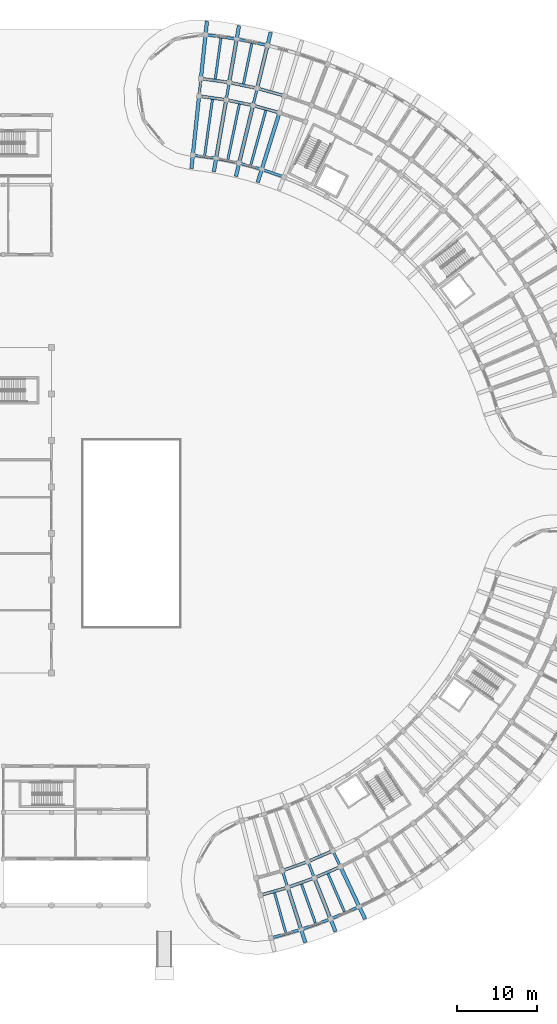
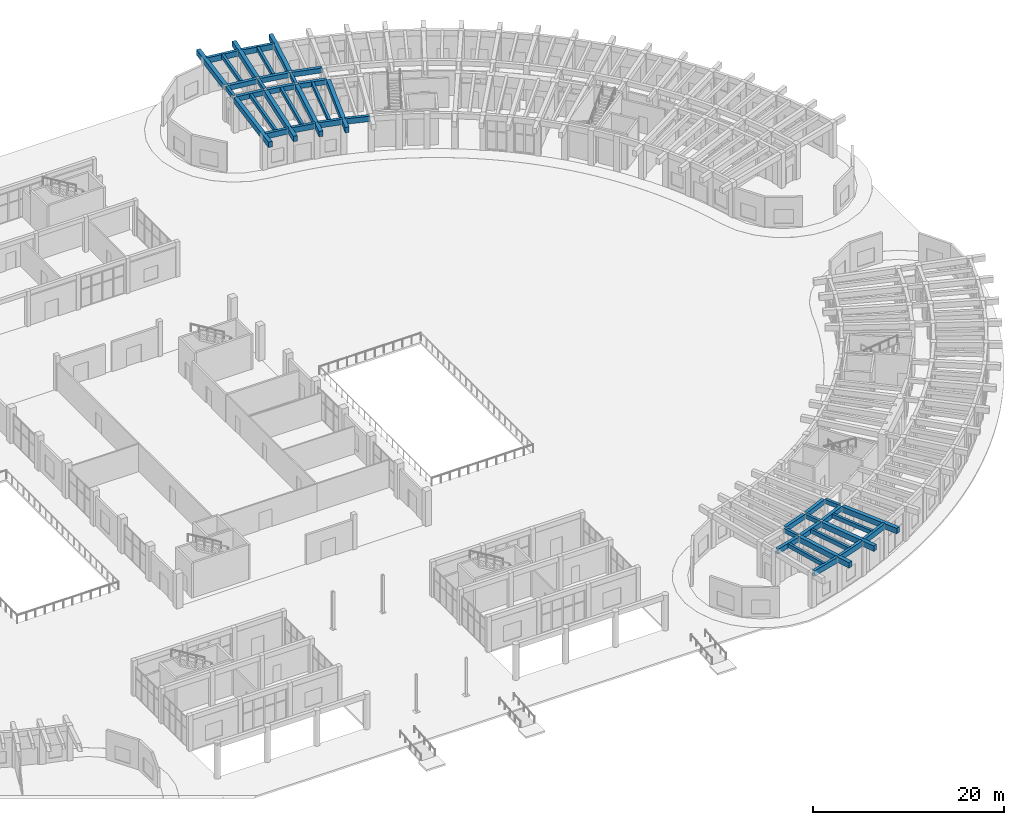
# One storey, part 52 of 132: 44 beams.
"""IFC4 building model written with IfcOpenShell, lengths in metres."""

from ifc_helpers import new_model, si_unit, direction, frame, origin, origin_2d, place, context, subcontext, project, spatial, rectangle, extrude, material, material_profile, profile_set, type_object, element, save


model = new_model("IFC4")

# Units and contexts
model_context = context("Model", 3, precision=1e-05, world=origin(), true_north=direction((0.0, 1.0)))
body_context = subcontext(model_context, "Body", "Model", "MODEL_VIEW")
ifc_project = project(units=[si_unit("LENGTHUNIT", "METRE"), si_unit("AREAUNIT", "SQUARE_METRE"), si_unit("VOLUMEUNIT", "CUBIC_METRE"), si_unit("PLANEANGLEUNIT", "RADIAN"), si_unit("MASSUNIT", "GRAM", prefix="KILO")], contexts=[model_context])

# Site, building, storey
site_placement = place(None, origin())
site = spatial("IfcSite", under=ifc_project, at=site_placement, CompositionType="ELEMENT")
building_placement = place(site_placement, origin())
building = spatial("IfcBuilding", under=site, at=building_placement, Name="Tanwirah Colonnade Gardens", CompositionType="ELEMENT")
storey_placement = place(building_placement, origin())
storey = spatial("IfcBuildingStorey", under=building, at=storey_placement, Name="L00", CompositionType="ELEMENT", Elevation=0.0)

# Beams
ifc_material_1 = material(Name="Precast concrete C40/50", Category="concrete")
ifc_material_profile_1 = material_profile(ifc_material_1, rectangle(XDim=0.320068359375, YDim=0.52001953125, at=origin_2d()), Name="PC-BM 320x520")
ifc_profile_set_1 = profile_set([ifc_material_profile_1], Name="Precast concrete C40/50")
beam_type_1 = type_object("IfcBeamType", Name="BM-PC320", PredefinedType="BEAM", material=ifc_profile_set_1)
for number, where, z_axis, x_axis, name in (
    (1, (133.188232421875, 110.75146484375, 4.22509765625), (0.234364199778, 0.972148868159, 0.0), (-0.972148868159, 0.234364199778, 0.0), "Block B L00 Corridor Tie Beam 16"),
    (2, (129.8310546875, 111.444580078125, 4.22509765625), (0.169855285462, 0.985469016256, 0.0), (-0.985469016256, 0.169855285462, 0.0), "Block B L00 Corridor Tie Beam 17"),
    (3, (126.435546875, 111.9150390625, 4.22509765625), (0.104464057197, 0.994528662611, 0.0), (-0.994528662611, 0.104464057197, 0.0), "Block B L00 Corridor Tie Beam 18"),
):
    element("IfcBeam", number, at=place(storey_placement, frame(where, z_axis=z_axis, x_axis=x_axis)), inside=storey, type_object=beam_type_1, Name=name, PredefinedType="BEAM", context=body_context, shape_type="SweptSolid", body=[
        extrude(rectangle(XDim=0.320068359375, YDim=0.52001953125, at=origin_2d()), origin(), (0.0, 0.0, 1.0), 1.900146484375),
    ])
beam_1_placement = place(storey_placement, frame((136.85302734375, 14.975341796875, 4.22509765625), z_axis=(0.304794376797, -0.952418179096, 0.0), x_axis=(0.952418179096, 0.304794376797, 0.0)))
element("IfcBeam", 4, at=beam_1_placement, inside=storey, type_object=beam_type_1, Name="Block D L00 Corridor Tie Beam 1", PredefinedType="BEAM", context=body_context, shape_type="SweptSolid", body=[
    extrude(rectangle(XDim=0.320068359375, YDim=0.52001953125, at=origin_2d()), origin(), (0.0, 0.0, 1.0), 1.89990234375),
])
beam_2_placement = place(storey_placement, frame((140.05810546875, 16.1181640625, 4.22509765625), z_axis=(0.366511033969, -0.930413704746, 0.0), x_axis=(0.930413704746, 0.366511033969, 0.0)))
element("IfcBeam", 5, at=beam_2_placement, inside=storey, type_object=beam_type_1, Name="Block D L00 Corridor Tie Beam 2", PredefinedType="BEAM", context=body_context, shape_type="SweptSolid", body=[
    extrude(rectangle(XDim=0.320068359375, YDim=0.52001953125, at=origin_2d()), origin(), (0.0, 0.0, 1.0), 1.899658203125),
])
beam_3_placement = place(storey_placement, frame((143.181640625, 17.46826171875, 4.22509765625), z_axis=(0.426483812015, -0.904495195172, 0.0), x_axis=(0.904495195172, 0.426483812015, 0.0)))
element("IfcBeam", 6, at=beam_3_placement, inside=storey, type_object=beam_type_1, Name="Block D L00 Corridor Tie Beam 3", PredefinedType="BEAM", context=body_context, shape_type="SweptSolid", body=[
    extrude(rectangle(XDim=0.320068359375, YDim=0.52001953125, at=origin_2d()), origin(), (0.0, 0.0, 1.0), 1.89990234375),
])
ifc_material_profile_2 = material_profile(ifc_material_1, rectangle(XDim=0.3798828125, YDim=0.6201171875, at=origin_2d()), Name="PC-BM 380x620")
ifc_profile_set_2 = profile_set([ifc_material_profile_2], Name="Precast concrete C40/50")
beam_type_2 = type_object("IfcBeamType", Name="BM-PC380", PredefinedType="BEAM", material=ifc_profile_set_2)
beam_4_placement = place(storey_placement, frame((136.302978515625, 109.7353515625, 4.175048828125), z_axis=(-0.963889412906, 0.266302834548, 0.0), x_axis=(-0.266302834548, -0.963889412906, 0.0)))
element("IfcBeam", 7, at=beam_4_placement, inside=storey, type_object=beam_type_2, Name="Block B L00 Circumferential Beam 15-R1", PredefinedType="BEAM", context=body_context, shape_type="SweptSolid", body=[
    extrude(rectangle(XDim=0.3798828125, YDim=0.6201171875, at=origin_2d()), origin(), (0.0, 0.0, 1.0), 3.117919921875),
])
beam_5_placement = place(storey_placement, frame((136.95849609375, 111.83544921875, 4.175048828125), z_axis=(-0.9638953302, 0.266281415833, 0.0), x_axis=(-0.266281415833, -0.9638953302, 0.0)))
element("IfcBeam", 8, at=beam_5_placement, inside=storey, type_object=beam_type_2, Name="Block B L00 Circumferential Beam 15-R2", PredefinedType="BEAM", context=body_context, shape_type="SweptSolid", body=[
    extrude(rectangle(XDim=0.3798828125, YDim=0.6201171875, at=origin_2d()), origin(), (0.0, 0.0, 1.0), 3.26318359375),
])
beam_6_placement = place(storey_placement, frame((133.006103515625, 110.635986328125, 4.175048828125), z_axis=(-0.979335880607, 0.202240532428, 0.0), x_axis=(-0.202240532428, -0.979335880607, 0.0)))
element("IfcBeam", 9, at=beam_6_placement, inside=storey, type_object=beam_type_2, Name="Block B L00 Circumferential Beam 16-R1", PredefinedType="BEAM", context=body_context, shape_type="SweptSolid", body=[
    extrude(rectangle(XDim=0.3798828125, YDim=0.6201171875, at=origin_2d()), origin(), (0.0, 0.0, 1.0), 3.1181640625),
])
beam_7_placement = place(storey_placement, frame((133.521728515625, 112.774658203125, 4.175048828125), z_axis=(-0.979335599813, 0.202241892146, 0.0), x_axis=(-0.202241892146, -0.979335599813, 0.0)))
element("IfcBeam", 10, at=beam_7_placement, inside=storey, type_object=beam_type_2, Name="Block B L00 Circumferential Beam 16-R2", PredefinedType="BEAM", context=body_context, shape_type="SweptSolid", body=[
    extrude(rectangle(XDim=0.3798828125, YDim=0.6201171875, at=origin_2d()), origin(), (0.0, 0.0, 1.0), 3.262939453125),
])
beam_8_placement = place(storey_placement, frame((129.656982421875, 111.3173828125, 4.175048828125), z_axis=(-0.990535787723, 0.137254702069, 0.0), x_axis=(-0.137254702069, -0.990535787723, 0.0)))
element("IfcBeam", 11, at=beam_8_placement, inside=storey, type_object=beam_type_2, Name="Block B L00 Circumferential Beam 17-R1", PredefinedType="BEAM", context=body_context, shape_type="SweptSolid", body=[
    extrude(rectangle(XDim=0.3798828125, YDim=0.6201171875, at=origin_2d()), origin(), (0.0, 0.0, 1.0), 3.1181640625),
])
beam_9_placement = place(storey_placement, frame((130.030517578125, 113.4853515625, 4.175048828125), z_axis=(-0.990530465749, 0.13729310406, 0.0), x_axis=(-0.13729310406, -0.990530465749, 0.0)))
element("IfcBeam", 12, at=beam_9_placement, inside=storey, type_object=beam_type_2, Name="Block B L00 Circumferential Beam 17-R2", PredefinedType="BEAM", context=body_context, shape_type="SweptSolid", body=[
    extrude(rectangle(XDim=0.3798828125, YDim=0.6201171875, at=origin_2d()), origin(), (0.0, 0.0, 1.0), 3.26318359375),
])
beam_10_placement = place(storey_placement, frame((134.22021484375, 12.096435546875, 4.175048828125), z_axis=(0.96185623635, 0.273555443366, 0.0), x_axis=(-0.273555443366, 0.96185623635, 0.0)))
element("IfcBeam", 13, at=beam_10_placement, inside=storey, type_object=beam_type_2, Name="Block D L00 Circumferential Beam 0-R2", PredefinedType="BEAM", context=body_context, shape_type="SweptSolid", body=[
    extrude(rectangle(XDim=0.3798828125, YDim=0.6201171875, at=origin_2d()), origin(), (0.0, 0.0, 1.0), 3.237060546875),
])
beam_11_placement = place(storey_placement, frame((136.948486328125, 15.168701171875, 4.175048828125), z_axis=(0.941911444877, 0.335861325564, 0.0), x_axis=(-0.335861325564, 0.941911444877, 0.0)))
element("IfcBeam", 14, at=beam_11_placement, inside=storey, type_object=beam_type_2, Name="Block D L00 Circumferential Beam 1-R1", PredefinedType="BEAM", context=body_context, shape_type="SweptSolid", body=[
    extrude(rectangle(XDim=0.3798828125, YDim=0.6201171875, at=origin_2d()), origin(), (0.0, 0.0, 1.0), 3.093017578125),
])
beam_12_placement = place(storey_placement, frame((137.619140625, 13.073486328125, 4.175048828125), z_axis=(0.941917534978, 0.335844245597, 0.0), x_axis=(-0.335844245597, 0.941917534978, 0.0)))
element("IfcBeam", 15, at=beam_12_placement, inside=storey, type_object=beam_type_2, Name="Block D L00 Circumferential Beam 1-R2", PredefinedType="BEAM", context=body_context, shape_type="SweptSolid", body=[
    extrude(rectangle(XDim=0.3798828125, YDim=0.6201171875, at=origin_2d()), origin(), (0.0, 0.0, 1.0), 3.237060546875),
])
beam_13_placement = place(storey_placement, frame((140.140869140625, 16.3173828125, 4.175048828125), z_axis=(0.917936292782, 0.396727819032, 0.0), x_axis=(-0.396727819032, 0.917936292782, 0.0)))
element("IfcBeam", 16, at=beam_13_placement, inside=storey, type_object=beam_type_2, Name="Block D L00 Circumferential Beam 2-R1", PredefinedType="BEAM", context=body_context, shape_type="SweptSolid", body=[
    extrude(rectangle(XDim=0.3798828125, YDim=0.6201171875, at=origin_2d()), origin(), (0.0, 0.0, 1.0), 3.093017578125),
])
beam_14_placement = place(storey_placement, frame((140.947021484375, 14.2705078125, 4.175048828125), z_axis=(0.917943156181, 0.396711938338, 0.0), x_axis=(-0.396711938338, 0.917943156181, 0.0)))
element("IfcBeam", 17, at=beam_14_placement, inside=storey, type_object=beam_type_2, Name="Block D L00 Circumferential Beam 2-R2", PredefinedType="BEAM", context=body_context, shape_type="SweptSolid", body=[
    extrude(rectangle(XDim=0.3798828125, YDim=0.6201171875, at=origin_2d()), origin(), (0.0, 0.0, 1.0), 3.237060546875),
])
ifc_material_2 = material(Name="Precast concrete C45/55", Category="concrete")
ifc_material_profile_3 = material_profile(ifc_material_2, rectangle(XDim=0.449951171875, YDim=0.699951171875, at=origin_2d()), Name="PC-BM 450x700")
ifc_profile_set_3 = profile_set([ifc_material_profile_3], Name="Precast concrete C45/55")
beam_type_3 = type_object("IfcBeamType", Name="BM-PC450", PredefinedType="BEAM", material=ifc_profile_set_3)
beam_15_placement = place(storey_placement, frame((136.403076171875, 109.55224609375, 4.135009765625), z_axis=(-0.29792861283, -0.9545881529, 0.0), x_axis=(0.9545881529, -0.29792861283, 0.0)))
element("IfcBeam", 18, at=beam_15_placement, inside=storey, type_object=beam_type_3, Name="Block B L00 Inner Radial Precast Girder 15", PredefinedType="BEAM", context=body_context, shape_type="SweptSolid", body=[
    extrude(rectangle(XDim=0.449951171875, YDim=0.699951171875, at=origin_2d()), origin(), (0.0, 0.0, 1.0), 8.9501953125),
])
beam_16_placement = place(storey_placement, frame((133.117919921875, 110.459716796875, 4.135009765625), z_axis=(-0.234401428133, -0.972139892448, 0.0), x_axis=(0.972139892448, -0.234401428133, 0.0)))
element("IfcBeam", 19, at=beam_16_placement, inside=storey, type_object=beam_type_3, Name="Block B L00 Inner Radial Precast Girder 16", PredefinedType="BEAM", context=body_context, shape_type="SweptSolid", body=[
    extrude(rectangle(XDim=0.449951171875, YDim=0.699951171875, at=origin_2d()), origin(), (0.0, 0.0, 1.0), 8.949951171875),
])
beam_17_placement = place(storey_placement, frame((133.703857421875, 112.89013671875, 4.135009765625), z_axis=(0.234378734126, 0.972145364125, 0.0), x_axis=(-0.972145364125, 0.234378734126, 0.0)))
element("IfcBeam", 20, at=beam_17_placement, inside=storey, type_object=beam_type_3, Name="Block B L00 Outer Radial Precast Girder 16", PredefinedType="BEAM", context=body_context, shape_type="SweptSolid", body=[
    extrude(rectangle(XDim=0.449951171875, YDim=0.699951171875, at=origin_2d()), origin(), (0.0, 0.0, 1.0), 7.0498046875),
])
beam_18_placement = place(storey_placement, frame((129.780029296875, 111.14892578125, 4.135009765625), z_axis=(-0.169837490725, -0.985472083189, 0.0), x_axis=(0.985472083189, -0.169837490725, 0.0)))
element("IfcBeam", 21, at=beam_18_placement, inside=storey, type_object=beam_type_3, Name="Block B L00 Inner Radial Precast Girder 17", PredefinedType="BEAM", context=body_context, shape_type="SweptSolid", body=[
    extrude(rectangle(XDim=0.449951171875, YDim=0.699951171875, at=origin_2d()), origin(), (0.0, 0.0, 1.0), 8.949951171875),
])
beam_19_placement = place(storey_placement, frame((130.20458984375, 113.61279296875, 4.135009765625), z_axis=(0.169826898404, 0.985473908624, 0.0), x_axis=(-0.985473908624, 0.169826898404, 0.0)))
element("IfcBeam", 22, at=beam_19_placement, inside=storey, type_object=beam_type_3, Name="Block B L00 Outer Radial Precast Girder 17", PredefinedType="BEAM", context=body_context, shape_type="SweptSolid", body=[
    extrude(rectangle(XDim=0.449951171875, YDim=0.699951171875, at=origin_2d()), origin(), (0.0, 0.0, 1.0), 7.0498046875),
])
beam_20_placement = place(storey_placement, frame((126.404052734375, 111.61669921875, 4.135009765625), z_axis=(-0.104531425475, -0.994521584023, 0.0), x_axis=(0.994521584023, -0.104531425475, 0.0)))
element("IfcBeam", 23, at=beam_20_placement, inside=storey, type_object=beam_type_3, Name="Block B L00 Inner Radial Precast Girder 18", PredefinedType="BEAM", context=body_context, shape_type="SweptSolid", body=[
    extrude(rectangle(XDim=0.449951171875, YDim=0.699951171875, at=origin_2d()), origin(), (0.0, 0.0, 1.0), 8.949951171875),
])
for number, where, z_axis, x_axis, name in (
    (24, (126.66552734375, 114.10302734375, 4.135009765625), (0.104511730475, 0.994523653913, 0.0), (-0.994523653913, 0.104511730475, 0.0), "Block B L00 Outer Radial Precast Girder 18"),
    (25, (137.523681640625, 12.880126953125, 4.135009765625), (0.304849862001, -0.952400420851, 0.0), (0.952400420851, 0.304849862001, 0.0), "Block D L00 Outer Radial Precast Girder 1"),
    (26, (140.8642578125, 14.0712890625, 4.135009765625), (0.366525426804, -0.930408034953, 0.0), (0.930408034953, 0.366525426804, 0.0), "Block D L00 Outer Radial Precast Girder 2"),
    (27, (144.1201171875, 15.478515625, 4.135009765625), (0.426567365945, -0.904455793453, 0.0), (0.904455793453, 0.426567365945, 0.0), "Block D L00 Outer Radial Precast Girder 3"),
):
    element("IfcBeam", number, at=place(storey_placement, frame(where, z_axis=z_axis, x_axis=x_axis)), inside=storey, type_object=beam_type_3, Name=name, PredefinedType="BEAM", context=body_context, shape_type="SweptSolid", body=[
        extrude(rectangle(XDim=0.449951171875, YDim=0.699951171875, at=origin_2d()), origin(), (0.0, 0.0, 1.0), 7.050048828125),
    ])
ifc_material_profile_4 = material_profile(ifc_material_1, rectangle(XDim=0.300048828125, YDim=0.5, at=origin_2d()), Name="PC-JST 300x500")
ifc_profile_set_4 = profile_set([ifc_material_profile_4], Name="Precast concrete C40/50")
beam_type_4 = type_object("IfcBeamType", Name="JST-PC300", PredefinedType="JOIST", material=ifc_profile_set_4)
beam_21_placement = place(storey_placement, frame((132.869140625, 103.16064453125, 4.235107421875), z_axis=(0.266307034535, 0.963888252526, 0.0), x_axis=(-0.963888252526, 0.266307034535, 0.0)))
element("IfcBeam", 28, at=beam_21_placement, inside=storey, type_object=beam_type_4, Name="Block B L00 Inner Precast Floor Joist 15", PredefinedType="JOIST", context=body_context, shape_type="SweptSolid", body=[
    extrude(rectangle(XDim=0.300048828125, YDim=0.5, at=origin_2d()), origin(), (0.0, 0.0, 1.0), 7.159912109375),
])
beam_22_placement = place(storey_placement, frame((131.9541015625, 113.2509765625, 4.235107421875), z_axis=(0.202235688429, 0.979336880918, 0.0), x_axis=(-0.979336880918, 0.202235688429, 0.0)))
element("IfcBeam", 29, at=beam_22_placement, inside=storey, type_object=beam_type_4, Name="Block B L00 Precast Floor Joist 16", PredefinedType="JOIST", context=body_context, shape_type="SweptSolid", body=[
    extrude(rectangle(XDim=0.300048828125, YDim=0.5, at=origin_2d()), origin(), (0.0, 0.0, 1.0), 5.259765625),
])
beam_23_placement = place(storey_placement, frame((130.012939453125, 103.84912109375, 4.235107421875), z_axis=(0.202197428816, 0.979344780851, 0.0), x_axis=(-0.979344780851, 0.202197428816, 0.0)))
element("IfcBeam", 30, at=beam_23_placement, inside=storey, type_object=beam_type_4, Name="Block B L00 Inner Precast Floor Joist 16", PredefinedType="JOIST", context=body_context, shape_type="SweptSolid", body=[
    extrude(rectangle(XDim=0.300048828125, YDim=0.5, at=origin_2d()), origin(), (0.0, 0.0, 1.0), 7.16015625),
])
beam_24_placement = place(storey_placement, frame((128.43505859375, 113.857421875, 4.235107421875), z_axis=(0.137248344923, 0.990536668587, 0.0), x_axis=(-0.990536668587, 0.137248344923, 0.0)))
element("IfcBeam", 31, at=beam_24_placement, inside=storey, type_object=beam_type_4, Name="Block B L00 Precast Floor Joist 17", PredefinedType="JOIST", context=body_context, shape_type="SweptSolid", body=[
    extrude(rectangle(XDim=0.300048828125, YDim=0.5, at=origin_2d()), origin(), (0.0, 0.0, 1.0), 5.260009765625),
])
beam_25_placement = place(storey_placement, frame((127.117431640625, 104.34814453125, 4.235107421875), z_axis=(0.137243132462, 0.99053739081, 0.0), x_axis=(-0.99053739081, 0.137243132462, 0.0)))
element("IfcBeam", 32, at=beam_25_placement, inside=storey, type_object=beam_type_4, Name="Block B L00 Inner Precast Floor Joist 17", PredefinedType="JOIST", context=body_context, shape_type="SweptSolid", body=[
    extrude(rectangle(XDim=0.300048828125, YDim=0.5, at=origin_2d()), origin(), (0.0, 0.0, 1.0), 7.16015625),
])
for number, where, z_axis, x_axis, name in (
    (33, (135.817626953125, 12.39599609375, 4.235107421875), (0.27352550206, -0.961864751263, 0.0), (0.961864751263, 0.27352550206, 0.0), "Block D L00 Precast Floor Joist 0"),
    (34, (139.193603515625, 13.4765625, 4.235107421875), (0.335862957845, -0.941910862846, 0.0), (0.941910862846, 0.335862957845, 0.0), "Block D L00 Precast Floor Joist 1"),
    (35, (142.49169921875, 14.77587890625, 4.235107421875), (0.396746282, -0.917928312952, 0.0), (0.917928312952, 0.396746282, 0.0), "Block D L00 Precast Floor Joist 2"),
):
    element("IfcBeam", number, at=place(storey_placement, frame(where, z_axis=z_axis, x_axis=x_axis)), inside=storey, type_object=beam_type_4, Name=name, PredefinedType="JOIST", context=body_context, shape_type="SweptSolid", body=[
        extrude(rectangle(XDim=0.300048828125, YDim=0.5, at=origin_2d()), origin(), (0.0, 0.0, 1.0), 5.260009765625),
    ])
ifc_material_profile_5 = material_profile(ifc_material_2, rectangle(XDim=0.340087890625, YDim=0.699951171875, at=origin_2d()), Name="PC-SP 340x700")
ifc_profile_set_5 = profile_set([ifc_material_profile_5], Name="Precast concrete C45/55")
beam_type_5 = type_object("IfcBeamType", Name="SP-PC340", PredefinedType="SPANDREL", material=ifc_profile_set_5)
beam_26_placement = place(storey_placement, frame((136.8681640625, 101.716064453125, 4.135009765625), z_axis=(-0.944249847334, 0.32922974624, 0.0), x_axis=(-0.32922974624, -0.944249847334, 0.0)))
element("IfcBeam", 36, at=beam_26_placement, inside=storey, type_object=beam_type_5, Name="Block B L00 Circumferential Beam 14-R0", PredefinedType="SPANDREL", context=body_context, shape_type="SweptSolid", body=[
    extrude(rectangle(XDim=0.340087890625, YDim=0.699951171875, at=origin_2d()), origin(), (0.0, 0.0, 1.0), 2.63037109375),
])
for number, where, z_axis, x_axis, name in (
    (37, (134.098388671875, 102.67138671875, 4.135009765625), (-0.96388669146, 0.266312684688, 0.0), (-0.266312684688, -0.96388669146, 0.0), "Block B L00 Circumferential Beam 15-R0"),
    (38, (131.271728515625, 103.442138671875, 4.135009765625), (-0.979351764611, 0.202163599974, 0.0), (-0.202163599974, -0.979351764611, 0.0), "Block B L00 Circumferential Beam 16-R0"),
):
    element("IfcBeam", number, at=place(storey_placement, frame(where, z_axis=z_axis, x_axis=x_axis)), inside=storey, type_object=beam_type_5, Name=name, PredefinedType="SPANDREL", context=body_context, shape_type="SweptSolid", body=[
        extrude(rectangle(XDim=0.340087890625, YDim=0.699951171875, at=origin_2d()), origin(), (0.0, 0.0, 1.0), 2.630126953125),
    ])
beam_27_placement = place(storey_placement, frame((134.810791015625, 118.121337890625, 4.135009765625), z_axis=(-0.979328544205, 0.202276055197, 0.0), x_axis=(-0.202276055197, -0.979328544205, 0.0)))
element("IfcBeam", 39, at=beam_27_placement, inside=storey, type_object=beam_type_5, Name="Block B L00 Circumferential Beam 16-R3", PredefinedType="SPANDREL", context=body_context, shape_type="SweptSolid", body=[
    extrude(rectangle(XDim=0.340087890625, YDim=0.699951171875, at=origin_2d()), origin(), (0.0, 0.0, 1.0), 3.625732421875),
])
beam_28_placement = place(storey_placement, frame((128.400146484375, 104.02490234375, 4.135009765625), z_axis=(-0.990531232354, 0.13728757311, 0.0), x_axis=(-0.13728757311, -0.990531232354, 0.0)))
element("IfcBeam", 40, at=beam_28_placement, inside=storey, type_object=beam_type_5, Name="Block B L00 Circumferential Beam 17-R0", PredefinedType="SPANDREL", context=body_context, shape_type="SweptSolid", body=[
    extrude(rectangle(XDim=0.340087890625, YDim=0.699951171875, at=origin_2d()), origin(), (0.0, 0.0, 1.0), 2.630126953125),
])
beam_29_placement = place(storey_placement, frame((130.964599609375, 118.905517578125, 4.135009765625), z_axis=(-0.990538603978, 0.137234376268, 0.0), x_axis=(-0.137234376268, -0.990538603978, 0.0)))
element("IfcBeam", 41, at=beam_29_placement, inside=storey, type_object=beam_type_5, Name="Block B L00 Circumferential Beam 17-R3", PredefinedType="SPANDREL", context=body_context, shape_type="SweptSolid", body=[
    extrude(rectangle(XDim=0.340087890625, YDim=0.699951171875, at=origin_2d()), origin(), (0.0, 0.0, 1.0), 3.625732421875),
])
for number, where, z_axis, x_axis, name in (
    (42, (135.55078125, 6.760009765625, 4.135009765625), (0.96186131547, 0.273537583893, 0.0), (-0.273537583893, 0.96186131547, 0.0), "Block D L00 Circumferential Beam 0-R3"),
    (43, (139.2958984375, 7.835205078125, 4.135009765625), (0.941915315404, 0.335850470607, 0.0), (-0.335850470607, 0.941915315404, 0.0), "Block D L00 Circumferential Beam 1-R3"),
):
    element("IfcBeam", number, at=place(storey_placement, frame(where, z_axis=z_axis, x_axis=x_axis)), inside=storey, type_object=beam_type_5, Name=name, PredefinedType="SPANDREL", context=body_context, shape_type="SweptSolid", body=[
        extrude(rectangle(XDim=0.340087890625, YDim=0.699951171875, at=origin_2d()), origin(), (0.0, 0.0, 1.0), 3.596923828125),
    ])
beam_30_placement = place(storey_placement, frame((142.962890625, 9.153076171875, 4.135009765625), z_axis=(0.917925861765, 0.396751953118, 0.0), x_axis=(-0.396751953118, 0.917925861765, 0.0)))
element("IfcBeam", 44, at=beam_30_placement, inside=storey, type_object=beam_type_5, Name="Block D L00 Circumferential Beam 2-R3", PredefinedType="SPANDREL", context=body_context, shape_type="SweptSolid", body=[
    extrude(rectangle(XDim=0.340087890625, YDim=0.699951171875, at=origin_2d()), origin(), (0.0, 0.0, 1.0), 3.5966796875),
])

save(model, "model.ifc")
